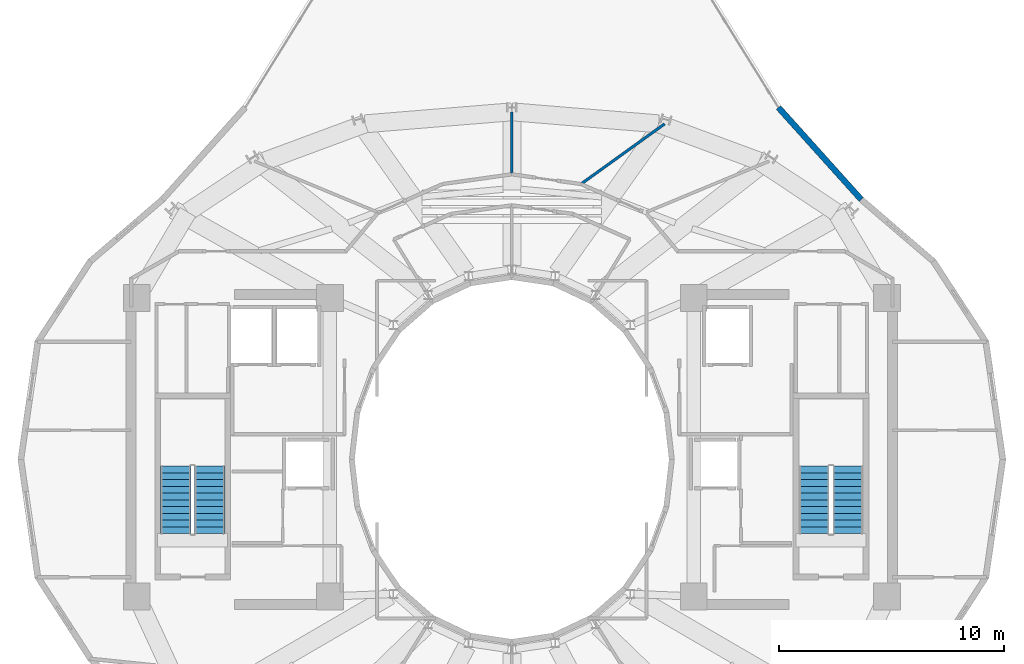
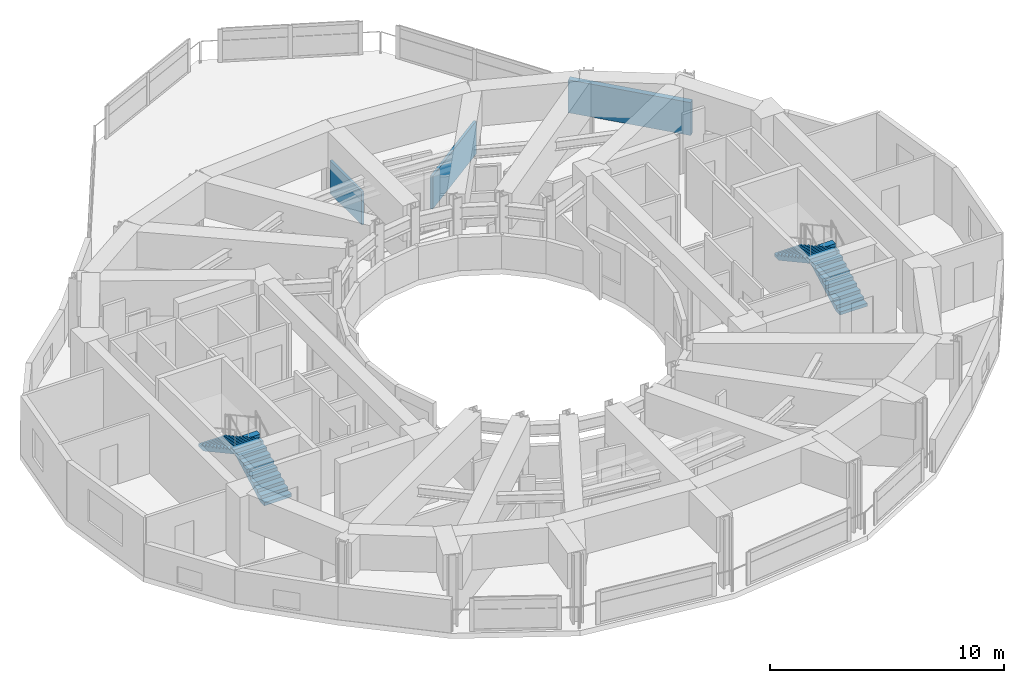
# One storey, part 18 of 21: 4 stair flights, 3 walls, 2 elements without a shape of their own.
"""IFC4 building model written with IfcOpenShell, lengths in metres."""

from ifc_helpers import new_model, si_unit, direction, frame, frame_2d, origin, place, context, subcontext, project, spatial, polyline, rectangle, outline, extrude, material, layer, layer_set, type_object, element, aggregate, save


model = new_model("IFC4")

# Units and contexts
model_context = context("Model", 3, precision=1e-05, world=origin(), true_north=direction((0.0, 1.0)))
body_context = subcontext(model_context, "Body", "Model", "MODEL_VIEW")
ifc_project = project(units=[si_unit("LENGTHUNIT", "METRE"), si_unit("AREAUNIT", "SQUARE_METRE"), si_unit("VOLUMEUNIT", "CUBIC_METRE"), si_unit("PLANEANGLEUNIT", "RADIAN"), si_unit("MASSUNIT", "GRAM", prefix="KILO")], contexts=[model_context])

# Site, building, storey
site_placement = place(None, origin())
site = spatial("IfcSite", under=ifc_project, at=site_placement, CompositionType="ELEMENT")
building_placement = place(site_placement, origin())
building = spatial("IfcBuilding", under=site, at=building_placement, Name="Solvane Sanctuary Tower", CompositionType="ELEMENT")
storey_placement = place(building_placement, frame((0.0, 0.0, 256.800048828125)))
storey = spatial("IfcBuildingStorey", under=building, at=storey_placement, Name="L78", CompositionType="ELEMENT", Elevation=256.800048828125)

# Walls
ifc_material_1 = material(Name="Precast concrete C40/50", Category="concrete")
ifc_layer_1 = layer(ifc_material_1, 0.260009765625, Name="Precast concrete C40/50")
ifc_layer_set_1 = layer_set([ifc_layer_1], Name="Precast concrete C40/50")
wall_type_1 = type_object("IfcWallType", Name="Wall W-EXT-250", PredefinedType="STANDARD", material=ifc_layer_set_1)
wall_1_placement = place(storey_placement, frame((47.5576171875, 34.572265625, 0.0), z_axis=(0.0, 0.0, 1.0), x_axis=(-0.668903560134, 0.743349196031, 0.0)))
element("IfcWall", 1, at=wall_1_placement, inside=storey, type_object=wall_type_1, Name="L78 Ceramic-Printed Facade Wall 03", PredefinedType="STANDARD", context=body_context, shape_type="SweptSolid", body=[
    extrude(rectangle(XDim=5.5126953125, YDim=0.260009765625, at=frame_2d((2.75634765625, 0.0))), origin(), (0.0, 0.0, 1.0), 1.719970703125),
])
ifc_material_2 = material(Name="Acoustic Gypsum Partition Board")
ifc_layer_2 = layer(ifc_material_2, 0.1201171875, Name="Acoustic Gypsum Partition Board")
ifc_layer_set_2 = layer_set([ifc_layer_2], Name="Acoustic Gypsum Partition Board")
wall_type_2 = type_object("IfcWallType", Name="Wall W-MOV-100", PredefinedType="MOVABLE", material=ifc_layer_set_2)
wall_2_placement = place(storey_placement, frame((35.1240234375, 35.29736328125, 0.0), z_axis=(0.0, 0.0, 1.0), x_axis=(0.811745719064, 0.584011033783, 0.0)))
element("IfcWall", 2, at=wall_2_placement, inside=storey, type_object=wall_type_2, Name="L78 Sky Hall Radial Partition 075", PredefinedType="MOVABLE", context=body_context, shape_type="SweptSolid", body=[
    extrude(rectangle(XDim=4.53369140625, YDim=0.1201171875, at=frame_2d((2.266845703125, 0.0))), origin(), (0.0, 0.0, 1.0), 1.719970703125),
])
wall_3_placement = place(storey_placement, frame((32.0, 35.7529296875, 0.0), z_axis=(0.0, 0.0, 1.0), x_axis=(0.0, 1.0, 0.0)))
element("IfcWall", 3, at=wall_3_placement, inside=storey, type_object=wall_type_2, Name="L78 Sky Hall Radial Partition 090", PredefinedType="MOVABLE", context=body_context, shape_type="SweptSolid", body=[
    extrude(rectangle(XDim=2.72705078125, YDim=0.1201171875, at=frame_2d((1.363525390625, 0.0))), origin(), (0.0, 0.0, 1.0), 1.719970703125),
])

# Stair, stair flights
ifc_material_3 = material(Name="Concrete C45/55", Category="concrete")
stair_type = type_object("IfcStairType", Name="Stair ST-TOW", PredefinedType="HALF_TURN_STAIR", material=ifc_material_3)
stair_1_placement = place(storey_placement, origin())
stair_1 = element("IfcStair", 4, at=stair_1_placement, inside=storey, type_object=stair_type, Name="L78 Exit Stair ST-1 West Core", PredefinedType="HALF_TURN_STAIR")
stair_flight_type = type_object("IfcStairFlightType", Name="StairFlight SF-TOW", PredefinedType="STRAIGHT", material=ifc_material_3)
stair_flight_1_placement = place(storey_placement, frame((18.544921875, 19.699951171875, 0.0), z_axis=(0.0, 0.0, 1.0), x_axis=(0.0, 1.0, 0.0)))
stair_flight_1 = element("IfcStairFlight", 5, at=stair_flight_1_placement, type_object=stair_flight_type, Name="ST-1 flight 1", NumberOfRisers=11, NumberOfTreads=10, PredefinedType="STRAIGHT", RiserHeight=0.163636364, TreadLength=0.3, context=body_context, shape_type="SweptSolid", body=[
    extrude(outline(polyline([(0.0, 0.0), (0.0, 0.16357421875), (0.300048828125, 0.16357421875), (0.300048828125, 0.327392578125), (0.60009765625, 0.327392578125), (0.60009765625, 0.490966796875), (0.89990234375, 0.490966796875), (0.89990234375, 0.654541015625), (1.199951171875, 0.654541015625), (1.199951171875, 0.818115234375), (1.5, 0.818115234375), (1.5, 0.98193359375), (1.800048828125, 0.98193359375), (1.800048828125, 1.1455078125), (2.10009765625, 1.1455078125), (2.10009765625, 1.30908203125), (2.39990234375, 1.30908203125), (2.39990234375, 1.47265625), (2.699951171875, 1.47265625), (2.699951171875, 1.636474609375), (3.0, 1.636474609375), (3.0, 1.800048828125), (3.0, 1.431396484375), (0.375732421875, 0.0), (0.0, 0.0)])), frame((0.0, 0.675048828125, 0.0), z_axis=(0.0, -1.0, 0.0), x_axis=(1.0, 0.0, 0.0)), (0.0, 0.0, 1.0), 1.35009765625),
])
stair_flight_2_placement = place(storey_placement, frame((17.034912109375, 22.699951171875, 1.800048828125), z_axis=(0.0, 0.0, 1.0), x_axis=(0.0, -1.0, 0.0)))
stair_flight_2 = element("IfcStairFlight", 6, at=stair_flight_2_placement, type_object=stair_flight_type, Name="ST-1 flight 2", NumberOfRisers=11, NumberOfTreads=10, PredefinedType="STRAIGHT", RiserHeight=0.163636364, TreadLength=0.3, context=body_context, shape_type="SweptSolid", body=[
    extrude(outline(polyline([(0.0, 0.0), (0.0, 0.16357421875), (0.300048828125, 0.16357421875), (0.300048828125, 0.327392578125), (0.60009765625, 0.327392578125), (0.60009765625, 0.490966796875), (0.89990234375, 0.490966796875), (0.89990234375, 0.654541015625), (1.199951171875, 0.654541015625), (1.199951171875, 0.818115234375), (1.5, 0.818115234375), (1.5, 0.98193359375), (1.800048828125, 0.98193359375), (1.800048828125, 1.1455078125), (2.10009765625, 1.1455078125), (2.10009765625, 1.30908203125), (2.39990234375, 1.30908203125), (2.39990234375, 1.47265625), (2.699951171875, 1.47265625), (2.699951171875, 1.636474609375), (3.0, 1.636474609375), (3.0, 1.800048828125), (3.0, 1.431396484375), (0.375732421875, 0.0), (0.0, 0.0)])), frame((0.0, 0.675048828125, 0.0), z_axis=(0.0, -1.0, 0.0), x_axis=(1.0, 0.0, 0.0)), (0.0, 0.0, 1.0), 1.35009765625),
])
aggregate(stair_1, [stair_flight_1, stair_flight_2])

stair_2_placement = place(storey_placement, origin())
stair_2 = element("IfcStair", 7, at=stair_2_placement, inside=storey, type_object=stair_type, Name="L78 Exit Stair ST-2 East Core", PredefinedType="HALF_TURN_STAIR")
stair_flight_3_placement = place(storey_placement, frame((46.965087890625, 19.699951171875, 0.0), z_axis=(0.0, 0.0, 1.0), x_axis=(0.0, 1.0, 0.0)))
stair_flight_3 = element("IfcStairFlight", 8, at=stair_flight_3_placement, type_object=stair_flight_type, Name="ST-2 flight 1", NumberOfRisers=11, NumberOfTreads=10, PredefinedType="STRAIGHT", RiserHeight=0.163636364, TreadLength=0.3, context=body_context, shape_type="SweptSolid", body=[
    extrude(outline(polyline([(0.0, 0.0), (0.0, 0.16357421875), (0.300048828125, 0.16357421875), (0.300048828125, 0.327392578125), (0.60009765625, 0.327392578125), (0.60009765625, 0.490966796875), (0.89990234375, 0.490966796875), (0.89990234375, 0.654541015625), (1.199951171875, 0.654541015625), (1.199951171875, 0.818115234375), (1.5, 0.818115234375), (1.5, 0.98193359375), (1.800048828125, 0.98193359375), (1.800048828125, 1.1455078125), (2.10009765625, 1.1455078125), (2.10009765625, 1.30908203125), (2.39990234375, 1.30908203125), (2.39990234375, 1.47265625), (2.699951171875, 1.47265625), (2.699951171875, 1.636474609375), (3.0, 1.636474609375), (3.0, 1.800048828125), (3.0, 1.431396484375), (0.375732421875, 0.0), (0.0, 0.0)])), frame((0.0, 0.675048828125, 0.0), z_axis=(0.0, -1.0, 0.0), x_axis=(1.0, 0.0, 0.0)), (0.0, 0.0, 1.0), 1.35009765625),
])
stair_flight_4_placement = place(storey_placement, frame((45.455078125, 22.699951171875, 1.800048828125), z_axis=(0.0, 0.0, 1.0), x_axis=(0.0, -1.0, 0.0)))
stair_flight_4 = element("IfcStairFlight", 9, at=stair_flight_4_placement, type_object=stair_flight_type, Name="ST-2 flight 2", NumberOfRisers=11, NumberOfTreads=10, PredefinedType="STRAIGHT", RiserHeight=0.163636364, TreadLength=0.3, context=body_context, shape_type="SweptSolid", body=[
    extrude(outline(polyline([(0.0, 0.0), (0.0, 0.16357421875), (0.300048828125, 0.16357421875), (0.300048828125, 0.327392578125), (0.60009765625, 0.327392578125), (0.60009765625, 0.490966796875), (0.89990234375, 0.490966796875), (0.89990234375, 0.654541015625), (1.199951171875, 0.654541015625), (1.199951171875, 0.818115234375), (1.5, 0.818115234375), (1.5, 0.98193359375), (1.800048828125, 0.98193359375), (1.800048828125, 1.1455078125), (2.10009765625, 1.1455078125), (2.10009765625, 1.30908203125), (2.39990234375, 1.30908203125), (2.39990234375, 1.47265625), (2.699951171875, 1.47265625), (2.699951171875, 1.636474609375), (3.0, 1.636474609375), (3.0, 1.800048828125), (3.0, 1.431396484375), (0.375732421875, 0.0), (0.0, 0.0)])), frame((0.0, 0.675048828125, 0.0), z_axis=(0.0, -1.0, 0.0), x_axis=(1.0, 0.0, 0.0)), (0.0, 0.0, 1.0), 1.35009765625),
])
aggregate(stair_2, [stair_flight_3, stair_flight_4])

save(model, "model.ifc")
